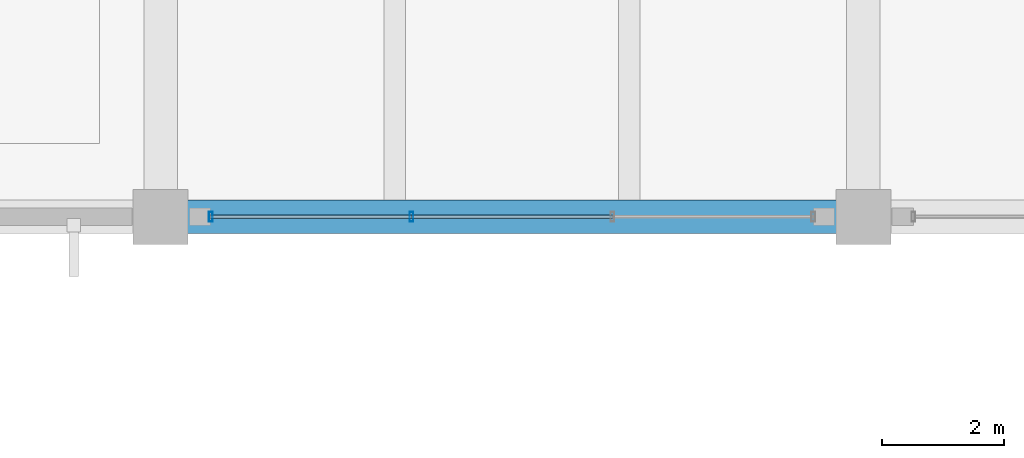
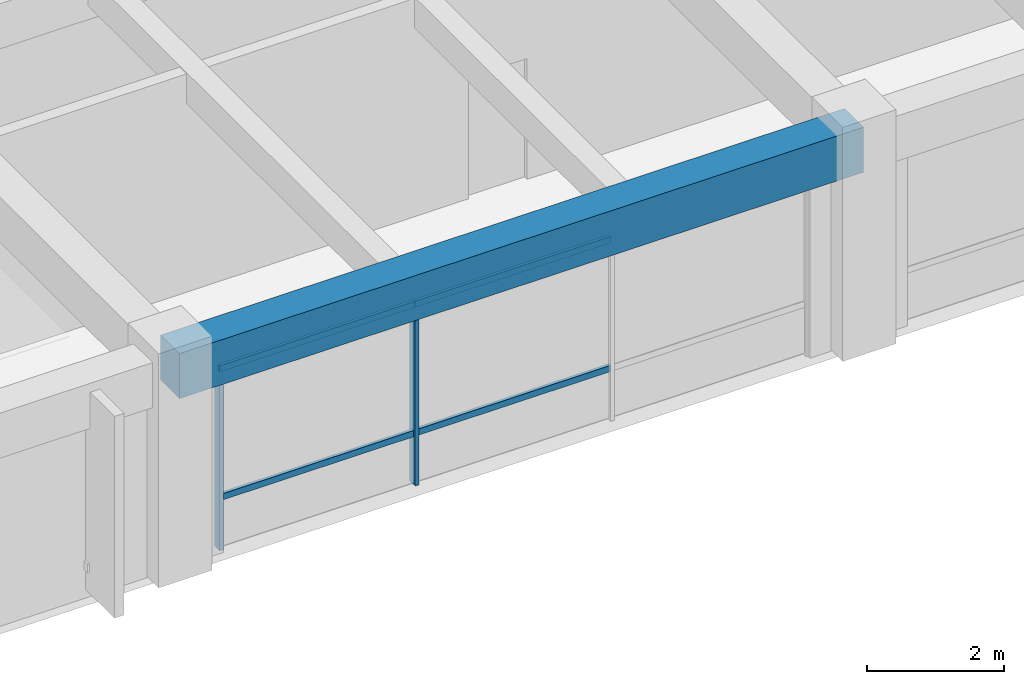
# One storey, part 11 of 33: 6 members, 1 beam, 1 element without a shape of its own.
"""IFC4 building model written with IfcOpenShell, lengths in metres."""

from ifc_helpers import new_model, si_unit, direction, frame, origin, origin_2d, place, context, subcontext, project, spatial, rectangle, hollow_rectangle, extrude, material, material_profile, profile_set, type_object, element, aggregate, save


model = new_model("IFC4")

# Units and contexts
model_context = context("Model", 3, precision=1e-05, world=origin(), true_north=direction((0.0, 1.0)))
body_context = subcontext(model_context, "Body", "Model", "MODEL_VIEW")
ifc_project = project(units=[si_unit("LENGTHUNIT", "METRE"), si_unit("AREAUNIT", "SQUARE_METRE"), si_unit("VOLUMEUNIT", "CUBIC_METRE"), si_unit("PLANEANGLEUNIT", "RADIAN"), si_unit("MASSUNIT", "GRAM", prefix="KILO")], contexts=[model_context])

# Site, building, storey
site_placement = place(None, origin())
site = spatial("IfcSite", under=ifc_project, at=site_placement, CompositionType="ELEMENT")
building_placement = place(site_placement, origin())
building = spatial("IfcBuilding", under=site, at=building_placement, Name="Ologun Quay Terminus", CompositionType="ELEMENT")
storey_placement = place(building_placement, frame((0.0, 0.0, 18.300048828125)))
storey = spatial("IfcBuildingStorey", under=building, at=storey_placement, Name="L04", CompositionType="ELEMENT", Elevation=18.300048828125)

# Curtain wall, members
ifc_material_1 = material(Name="Aluminium 6063-T6", Category="aluminium")
curtain_wall_type = type_object("IfcCurtainWallType", Name="Operations Wing Harbour Curtain Wall L04 10400x3800", PredefinedType="USERDEFINED", material=ifc_material_1)
curtain_wall_placement = place(storey_placement, origin())
curtain_wall = element("IfcCurtainWall", 1, at=curtain_wall_placement, inside=storey, type_object=curtain_wall_type, Name="CW-27 Curtain Wall CW-L04-145", ObjectType="UNITISED CURTAIN WALL", PredefinedType="USERDEFINED")
ifc_material_2 = material(Name="Aluminium 6063-T6", Category="aluminium")
ifc_material_profile_1 = material_profile(ifc_material_2, hollow_rectangle(XDim=0.06005859375, YDim=0.159912109375, WallThickness=0.00390625, at=origin_2d()), Name="ALU 160x60x4")
ifc_profile_set_1 = profile_set([ifc_material_profile_1], Name="Aluminium 6063-T6")
member_type_1 = type_object("IfcMemberType", Name="Courtyard Screen Mullion 160x65", PredefinedType="MULLION", material=ifc_profile_set_1)
member_1_placement = place(storey_placement, frame((127.320068359375, 85.800048828125, 0.0), z_axis=(0.0, 0.0, 1.0), x_axis=(1.0, 0.0, 0.0)))
member_1 = element("IfcMember", 2, at=member_1_placement, type_object=member_type_1, Name="CW-L04-145 Mullion 1", PredefinedType="MULLION", context=body_context, shape_type="SweptSolid", body=[
    extrude(hollow_rectangle(XDim=0.06005859375, YDim=0.159912109375, WallThickness=0.00390625, at=origin_2d()), origin(), (0.0, 0.0, 1.0), 3.889892578125),
])
member_2_placement = place(storey_placement, frame((130.606689453125, 85.800048828125, 0.0), z_axis=(0.0, 0.0, 1.0), x_axis=(1.0, 0.0, 0.0)))
member_2 = element("IfcMember", 3, at=member_2_placement, type_object=member_type_1, Name="CW-L04-145 Mullion 2", PredefinedType="MULLION", context=body_context, shape_type="SweptSolid", body=[
    extrude(hollow_rectangle(XDim=0.06005859375, YDim=0.159912109375, WallThickness=0.00390625, at=origin_2d()), origin(), (0.0, 0.0, 1.0), 3.889892578125),
])
ifc_material_3 = material(Name="Aluminium 6063-T6", Category="aluminium")
ifc_material_profile_2 = material_profile(ifc_material_3, hollow_rectangle(XDim=0.054931640625, YDim=0.110107421875, WallThickness=0.00390625, at=origin_2d()), Name="ALU 110x55x4")
ifc_profile_set_2 = profile_set([ifc_material_profile_2], Name="Aluminium 6063-T6")
member_type_2 = type_object("IfcMemberType", Name="Courtyard Screen Transom 110x55", PredefinedType="USERDEFINED", material=ifc_profile_set_2)
member_3_placement = place(storey_placement, frame((127.320068359375, 85.800048828125, 0.89990234375), z_axis=(1.0, 0.0, 0.0), x_axis=(0.0, 1.0, 0.0)))
member_3 = element("IfcMember", 4, at=member_3_placement, type_object=member_type_2, Name="CW-L04-145 Transom B1-1", ObjectType="TRANSOM", PredefinedType="USERDEFINED", context=body_context, shape_type="SweptSolid", body=[
    extrude(hollow_rectangle(XDim=0.054931640625, YDim=0.110107421875, WallThickness=0.00390625, at=origin_2d()), origin(), (0.0, 0.0, 1.0), 3.28662109375),
])
member_4_placement = place(storey_placement, frame((127.320068359375, 85.800048828125, 3.18994140625), z_axis=(1.0, 0.0, 0.0), x_axis=(0.0, 1.0, 0.0)))
member_4 = element("IfcMember", 5, at=member_4_placement, type_object=member_type_2, Name="CW-L04-145 Transom B1-2", ObjectType="TRANSOM", PredefinedType="USERDEFINED", context=body_context, shape_type="SweptSolid", body=[
    extrude(hollow_rectangle(XDim=0.054931640625, YDim=0.110107421875, WallThickness=0.00390625, at=origin_2d()), origin(), (0.0, 0.0, 1.0), 3.28662109375),
])
member_5_placement = place(storey_placement, frame((130.606689453125, 85.800048828125, 0.89990234375), z_axis=(1.0, 0.0, 0.0), x_axis=(0.0, 1.0, 0.0)))
member_5 = element("IfcMember", 6, at=member_5_placement, type_object=member_type_2, Name="CW-L04-145 Transom B2-1", ObjectType="TRANSOM", PredefinedType="USERDEFINED", context=body_context, shape_type="SweptSolid", body=[
    extrude(hollow_rectangle(XDim=0.054931640625, YDim=0.110107421875, WallThickness=0.00390625, at=origin_2d()), origin(), (0.0, 0.0, 1.0), 3.28662109375),
])
member_6_placement = place(storey_placement, frame((130.606689453125, 85.800048828125, 3.18994140625), z_axis=(1.0, 0.0, 0.0), x_axis=(0.0, 1.0, 0.0)))
member_6 = element("IfcMember", 7, at=member_6_placement, type_object=member_type_2, Name="CW-L04-145 Transom B2-2", ObjectType="TRANSOM", PredefinedType="USERDEFINED", context=body_context, shape_type="SweptSolid", body=[
    extrude(hollow_rectangle(XDim=0.054931640625, YDim=0.110107421875, WallThickness=0.00390625, at=origin_2d()), origin(), (0.0, 0.0, 1.0), 3.28662109375),
])
aggregate(curtain_wall, [member_1, member_2, member_3, member_4, member_5, member_6])

# Beam
ifc_material_4 = material(Name="Concrete C40/50", Category="concrete")
ifc_material_profile_3 = material_profile(ifc_material_4, rectangle(XDim=0.550048828125, YDim=0.800048828125, at=origin_2d()), Name="RC 550x800")
ifc_profile_set_3 = profile_set([ifc_material_profile_3], Name="Concrete C40/50")
beam_type = type_object("IfcBeamType", Name="Courtyard Wing Primary Girder 550x800", PredefinedType="BEAM", material=ifc_profile_set_3)
beam_placement = place(storey_placement, frame((126.5, 85.800048828125, 3.5), z_axis=(1.0, 0.0, 0.0), x_axis=(0.0, 1.0, 0.0)))
element("IfcBeam", 8, at=beam_placement, inside=storey, type_object=beam_type, Name="B4 Beam 12/G2 L04", PredefinedType="BEAM", context=body_context, shape_type="SweptSolid", body=[
    extrude(rectangle(XDim=0.550048828125, YDim=0.800048828125, at=origin_2d()), origin(), (0.0, 0.0, 1.0), 11.5),
])

save(model, "model.ifc")
